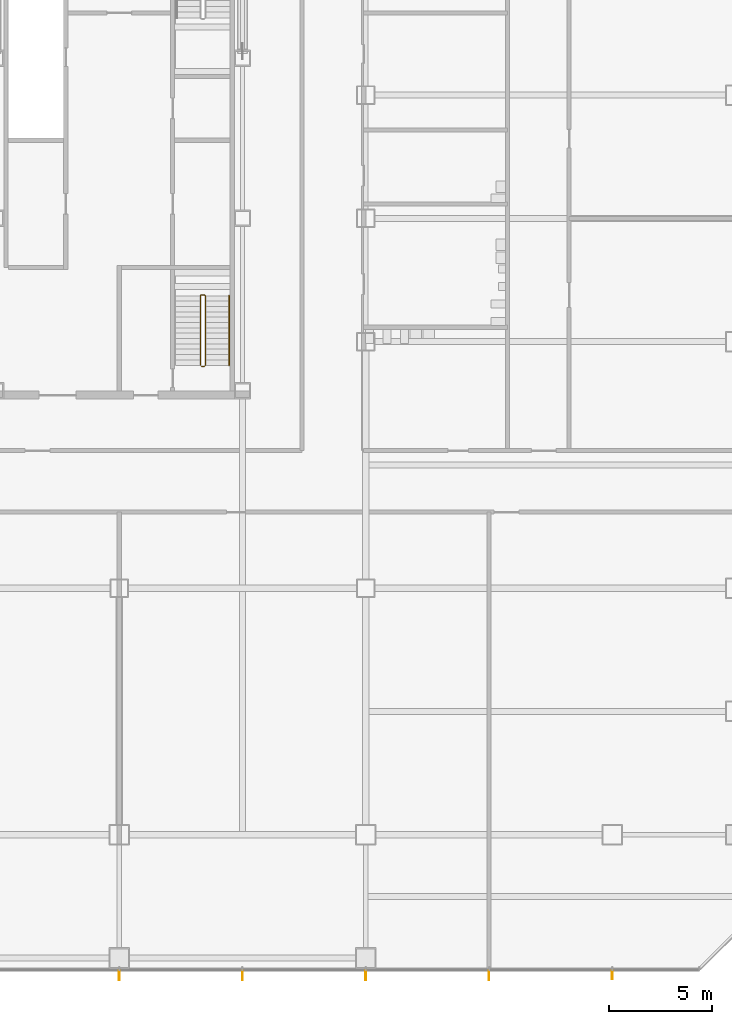
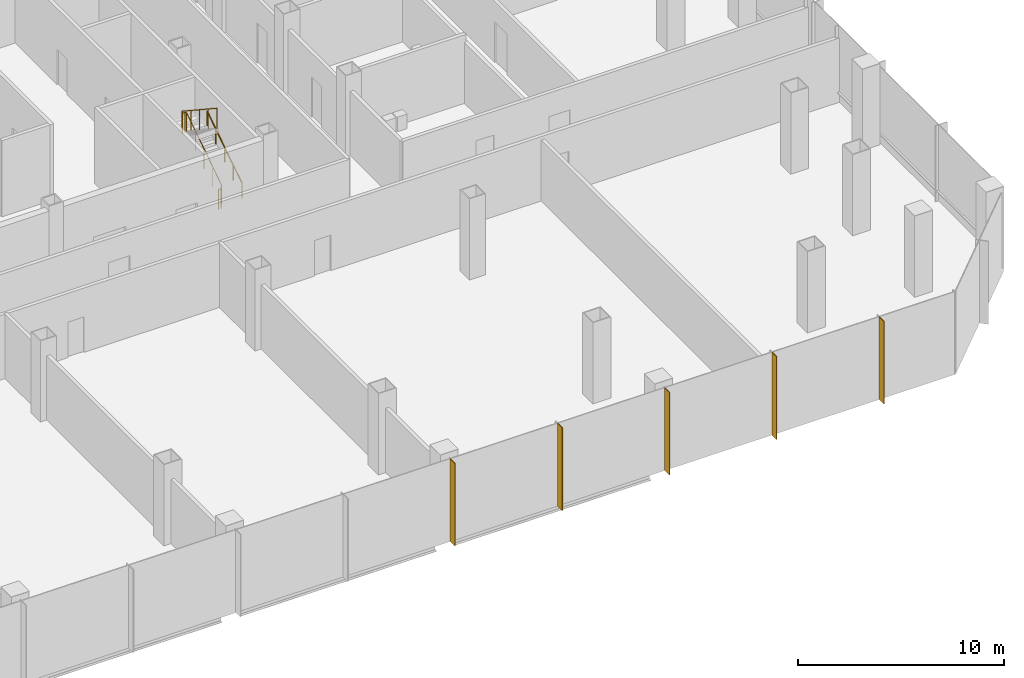
# One storey, part 29 of 34: 5 shading devices, 2 railings.
"""IFC4 building model written with IfcOpenShell, lengths in metres."""

from ifc_helpers import new_model, si_unit, direction, frame, origin, origin_2d, place, context, subcontext, project, spatial, rectangle, circle, extrude, material, material_profile, profile_set, type_object, element, save


model = new_model("IFC4")

# Units and contexts
model_context = context("Model", 3, precision=1e-05, world=origin(), true_north=direction((0.0, 1.0)))
body_context = subcontext(model_context, "Body", "Model", "MODEL_VIEW")
ifc_project = project(units=[si_unit("LENGTHUNIT", "METRE"), si_unit("AREAUNIT", "SQUARE_METRE"), si_unit("VOLUMEUNIT", "CUBIC_METRE"), si_unit("PLANEANGLEUNIT", "RADIAN"), si_unit("MASSUNIT", "GRAM", prefix="KILO")], contexts=[model_context])

# Site, building, storey
site_placement = place(None, origin())
site = spatial("IfcSite", under=ifc_project, at=site_placement, CompositionType="ELEMENT")
building_placement = place(site_placement, origin())
building = spatial("IfcBuilding", under=site, at=building_placement, Name="Sorahane Residences", CompositionType="ELEMENT")
storey_placement = place(building_placement, frame((0.0, 0.0, 39.60009765625)))
storey = spatial("IfcBuildingStorey", under=building, at=storey_placement, Name="L06", CompositionType="ELEMENT", Elevation=39.60009765625)

# Shading devices
ifc_material_1 = material(Name="Terracotta anodised aluminium", Category="masonry")
ifc_material_profile = material_profile(ifc_material_1, rectangle(XDim=0.449951171875, YDim=0.0400390625, at=origin_2d()), Name="Podium vertical fin terracotta anodised aluminium 450x40")
ifc_profile_set = profile_set([ifc_material_profile], Name="Terracotta anodised aluminium")
shading_device_type = type_object("IfcShadingDeviceType", Name="Podium vertical fin terracotta anodised aluminium 450x40", PredefinedType="USERDEFINED", material=ifc_profile_set)
for number, where, z_axis, x_axis, name in (
    (1, (36.0, -6.844970703125, -0.400146484375), (0.0, 0.0, 1.0), (0.0, -1.0, 0.0), "Podium vertical fin L06 S1.5"),
    (2, (42.0, -6.844970703125, -0.400146484375), (0.0, 0.0, 1.0), (0.0, -1.0, 0.0), "Podium vertical fin L06 S1.6"),
    (3, (48.0, -6.844970703125, -0.400146484375), (0.0, 0.0, 1.0), (0.0, -1.0, 0.0), "Podium vertical fin L06 S1.7"),
    (4, (54.0, -6.844970703125, -0.400146484375), (0.0, 0.0, 1.0), (0.0, -1.0, 0.0), "Podium vertical fin L06 S1.8"),
    (5, (60.0, -6.844970703125, -0.400146484375), (0.0, 0.0, 1.0), (0.0, -1.0, 0.0), "Podium vertical fin L06 S1.9"),
):
    element("IfcShadingDevice", number, at=place(storey_placement, frame(where, z_axis=z_axis, x_axis=x_axis)), inside=storey, type_object=shading_device_type, Name=name, ObjectType="Vertical fin", PredefinedType="USERDEFINED", context=body_context, shape_type="SweptSolid", body=[
        extrude(rectangle(XDim=0.449951171875, YDim=0.0400390625, at=origin_2d()), origin(), (0.0, 0.0, 1.0), 4.900146484375),
    ])

# Railings
ifc_material_2 = material(Name="Steel Q355B", Category="steel")
railing_type_1 = type_object("IfcRailingType", Name="Stair guard 1200 Steel Q355B", PredefinedType="GUARDRAIL", material=ifc_material_2)
railing_1_placement = place(storey_placement, frame((40.0, 22.800048828125, 0.0)))
element("IfcRailing", 6, at=railing_1_placement, inside=storey, type_object=railing_type_1, Name="L06 S5 stair guard 1", PredefinedType="GUARDRAIL", context=body_context, shape_type="SweptSolid", body=[
    extrude(circle(Radius=0.02392578125, at=origin_2d()), frame((0.0, 0.0, 1.17578125), z_axis=(1.0, 0.0, 0.0), x_axis=(0.0, 1.0, 0.0)), (0.0, 0.0, 1.0), 0.14990234375),
    extrude(circle(Radius=0.02392578125, at=origin_2d()), frame((0.14990234375, 0.0, 1.17578125), z_axis=(0.269911200495, 0.269911200495, 0.924281281696), x_axis=(-0.707106781187, 0.707106781187, 0.0)), (0.0, 0.0, 1.0), 0.185546875),
    extrude(circle(Radius=0.02392578125, at=origin_2d()), frame((0.199951171875, 0.050048828125, 1.34716796875), z_axis=(0.0, 0.83485994896, 0.550462410727), x_axis=(-1.0, 0.0, 0.0)), (0.0, 0.0, 1.0), 4.04833984375),
    extrude(circle(Radius=0.02392578125, at=origin_2d()), frame((0.199951171875, 3.429931640625, 3.57568359375), z_axis=(-0.707106781187, 0.707106781187, 0.0), x_axis=(-0.707106781187, -0.707106781187, 0.0)), (0.0, 0.0, 1.0), 0.07080078125),
    extrude(circle(Radius=0.02392578125, at=origin_2d()), frame((0.14990234375, 3.47998046875, 3.57568359375), z_axis=(-1.0, 0.0, 0.0), x_axis=(0.0, -1.0, 0.0)), (0.0, 0.0, 1.0), 0.14990234375),
    extrude(circle(Radius=0.02392578125, at=origin_2d()), frame((0.0, 3.47998046875, 3.57568359375), z_axis=(-0.269911200495, -0.269911200495, 0.924281281696), x_axis=(0.707106781187, -0.707106781187, 0.0)), (0.0, 0.0, 1.0), 0.185546875),
    extrude(circle(Radius=0.02392578125, at=origin_2d()), frame((-0.050048828125, 3.429931640625, 3.7470703125), z_axis=(0.0, -0.83485994896, 0.550462410727), x_axis=(1.0, 0.0, 0.0)), (0.0, 0.0, 1.0), 4.04833984375),
    extrude(circle(Radius=0.02099609375, at=origin_2d()), origin(), (0.0, 0.0, 1.0), 1.15185546875),
    extrude(circle(Radius=0.02099609375, at=origin_2d()), frame((0.14990234375, 0.0, 0.0)), (0.0, 0.0, 1.0), 1.15185546875),
    extrude(circle(Radius=0.02099609375, at=origin_2d()), frame((0.199951171875, 0.050048828125, 0.17138671875)), (0.0, 0.0, 1.0), 1.15185546875),
    extrude(circle(Radius=0.02099609375, at=origin_2d()), frame((0.199951171875, 0.89501953125, 0.728515625)), (0.0, 0.0, 1.0), 1.15185546875),
    extrude(circle(Radius=0.02099609375, at=origin_2d()), frame((0.199951171875, 1.739990234375, 1.28564453125)), (0.0, 0.0, 1.0), 1.15185546875),
    extrude(circle(Radius=0.02099609375, at=origin_2d()), frame((0.199951171875, 2.5849609375, 1.8427734375)), (0.0, 0.0, 1.0), 1.15185546875),
    extrude(circle(Radius=0.02099609375, at=origin_2d()), frame((0.199951171875, 3.429931640625, 2.39990234375)), (0.0, 0.0, 1.0), 1.15185546875),
    extrude(circle(Radius=0.02099609375, at=origin_2d()), frame((0.14990234375, 3.47998046875, 2.39990234375)), (0.0, 0.0, 1.0), 1.15185546875),
    extrude(circle(Radius=0.02099609375, at=origin_2d()), frame((0.0, 3.47998046875, 2.39990234375)), (0.0, 0.0, 1.0), 1.15185546875),
    extrude(circle(Radius=0.02099609375, at=origin_2d()), frame((-0.050048828125, 3.429931640625, 2.5712890625)), (0.0, 0.0, 1.0), 1.15185546875),
    extrude(circle(Radius=0.02099609375, at=origin_2d()), frame((-0.050048828125, 2.5849609375, 3.12841796875)), (0.0, 0.0, 1.0), 1.15185546875),
    extrude(circle(Radius=0.02099609375, at=origin_2d()), frame((-0.050048828125, 1.739990234375, 3.685546875)), (0.0, 0.0, 1.0), 1.15185546875),
    extrude(circle(Radius=0.02099609375, at=origin_2d()), frame((-0.050048828125, 0.89501953125, 4.24267578125)), (0.0, 0.0, 1.0), 1.15185546875),
    extrude(circle(Radius=0.02099609375, at=origin_2d()), frame((-0.050048828125, 0.050048828125, 4.7998046875)), (0.0, 0.0, 1.0), 1.15185546875),
])
ifc_material_3 = material(Name="Steel Q355B", Category="steel")
railing_type_2 = type_object("IfcRailingType", Name="Stair handrail 900 Steel Q355B", PredefinedType="HANDRAIL", material=ifc_material_3)
railing_2_placement = place(storey_placement, frame((41.35009765625, 22.85009765625, 0.17138671875)))
element("IfcRailing", 7, at=railing_2_placement, inside=storey, type_object=railing_type_2, Name="L06 S5 stair handrail 1", PredefinedType="HANDRAIL", context=body_context, shape_type="SweptSolid", body=[
    extrude(circle(Radius=0.02392578125, at=origin_2d()), frame((0.0, 0.0, 0.8759765625), z_axis=(0.0, 0.83485994896, 0.550462410727), x_axis=(-1.0, 0.0, 0.0)), (0.0, 0.0, 1.0), 4.04833984375),
    extrude(circle(Radius=0.02099609375, at=origin_2d()), origin(), (0.0, 0.0, 1.0), 0.851806640625),
    extrude(circle(Radius=0.02099609375, at=origin_2d()), frame((0.0, 0.844970703125, 0.55712890625)), (0.0, 0.0, 1.0), 0.851806640625),
    extrude(circle(Radius=0.02099609375, at=origin_2d()), frame((0.0, 1.68994140625, 1.1142578125)), (0.0, 0.0, 1.0), 0.851806640625),
    extrude(circle(Radius=0.02099609375, at=origin_2d()), frame((0.0, 2.534912109375, 1.67138671875)), (0.0, 0.0, 1.0), 0.851806640625),
    extrude(circle(Radius=0.02099609375, at=origin_2d()), frame((0.0, 3.3798828125, 2.228515625)), (0.0, 0.0, 1.0), 0.851806640625),
])

save(model, "model.ifc")
